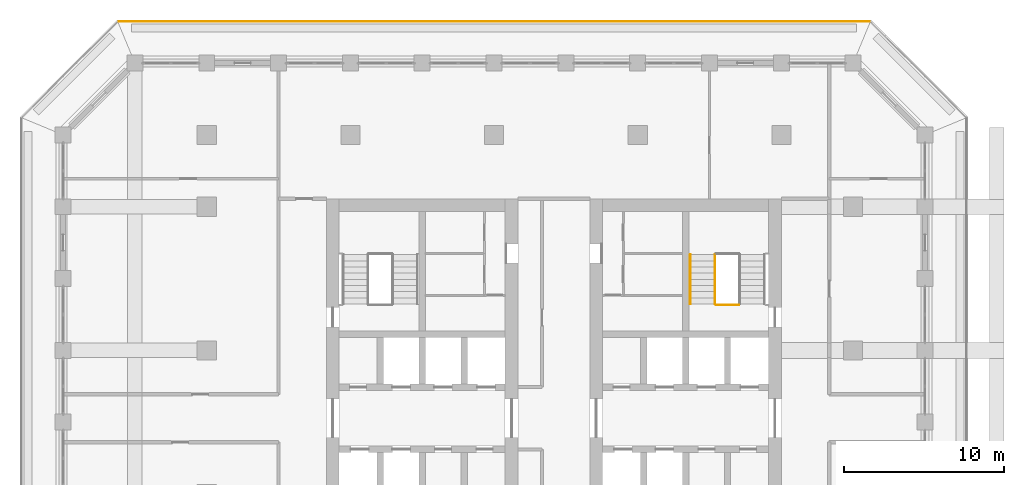
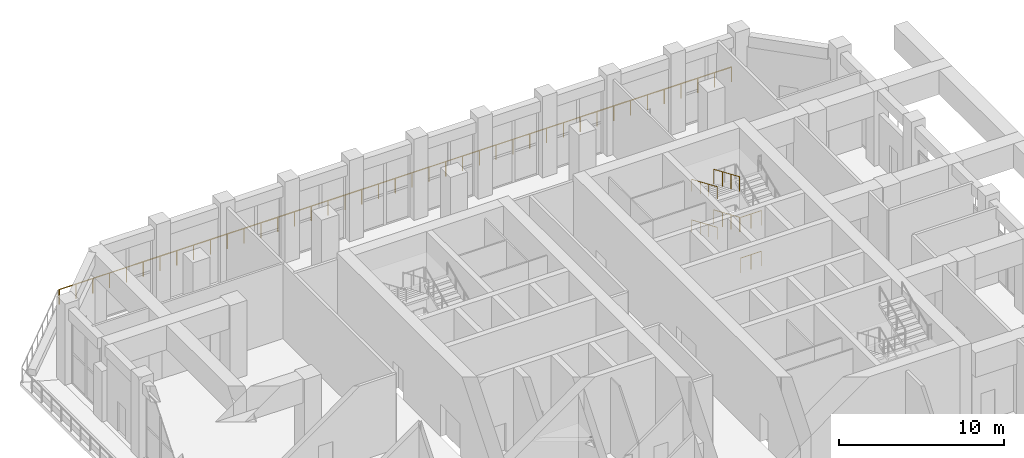
# One storey, part 23 of 25: 7 railings.
"""IFC4 building model written with IfcOpenShell, lengths in metres."""

from ifc_helpers import new_model, si_unit, direction, frame, origin, origin_2d, place, context, subcontext, project, spatial, circle, extrude, material, type_object, element, save


model = new_model("IFC4")

# Units and contexts
model_context = context("Model", 3, precision=1e-05, world=origin(), true_north=direction((0.0, 1.0)))
body_context = subcontext(model_context, "Body", "Model", "MODEL_VIEW")
ifc_project = project(units=[si_unit("LENGTHUNIT", "METRE"), si_unit("AREAUNIT", "SQUARE_METRE"), si_unit("VOLUMEUNIT", "CUBIC_METRE"), si_unit("PLANEANGLEUNIT", "RADIAN"), si_unit("MASSUNIT", "GRAM", prefix="KILO")], contexts=[model_context])

# Site, building, storey
site_placement = place(None, origin())
site = spatial("IfcSite", under=ifc_project, at=site_placement, CompositionType="ELEMENT")
building_placement = place(site_placement, origin())
building = spatial("IfcBuilding", under=site, at=building_placement, Name="Corbel Stack Research Tower", CompositionType="ELEMENT")
storey_placement = place(building_placement, frame((0.0, 0.0, 185.5)))
storey = spatial("IfcBuildingStorey", under=building, at=storey_placement, Name="L42", CompositionType="ELEMENT", Elevation=185.5)

# Railings
ifc_material_1 = material(Name="Steel S355", Category="steel")
railing_type_1 = type_object("IfcRailingType", Name="Stair guard 1100", PredefinedType="GUARDRAIL", material=ifc_material_1)
railing_1_placement = place(storey_placement, frame((13.85009765625, 15.00390625, 1.666748046875)))
element("IfcRailing", 1, at=railing_1_placement, inside=storey, type_object=railing_type_1, Name="L42 ST-E2 stair guard 4", PredefinedType="GUARDRAIL", context=body_context, shape_type="SweptSolid", body=[
    extrude(circle(Radius=0.02392578125, at=origin_2d()), frame((0.0, 0.0, 1.076171875), z_axis=(0.0, -0.918826996994, 0.394660549834), x_axis=(1.0, 0.0, 0.0)), (0.0, 0.0, 1.0), 3.378173828125),
    extrude(circle(Radius=0.02099609375, at=origin_2d()), origin(), (0.0, 0.0, 1.0), 1.052001953125),
    extrude(circle(Radius=0.02099609375, at=origin_2d()), frame((0.0, -1.03466796875, 0.4443359375)), (0.0, 0.0, 1.0), 1.052001953125),
    extrude(circle(Radius=0.02099609375, at=origin_2d()), frame((0.0, -2.0693359375, 0.888916015625)), (0.0, 0.0, 1.0), 1.052001953125),
    extrude(circle(Radius=0.02099609375, at=origin_2d()), frame((0.0, -3.10400390625, 1.333251953125)), (0.0, 0.0, 1.0), 1.052001953125),
])
railing_2_placement = place(storey_placement, frame((15.35009765625, 11.85009765625, 3.0)))
element("IfcRailing", 2, at=railing_2_placement, inside=storey, type_object=railing_type_1, Name="L42 ST-E2 stair guard 5", PredefinedType="GUARDRAIL", context=body_context, shape_type="SweptSolid", body=[
    extrude(circle(Radius=0.02392578125, at=origin_2d()), frame((0.0, 0.0, 1.076171875), z_axis=(-1.0, 0.0, 0.0), x_axis=(0.0, -1.0, 0.0)), (0.0, 0.0, 1.0), 1.4501953125),
    extrude(circle(Radius=0.02099609375, at=origin_2d()), origin(), (0.0, 0.0, 1.0), 1.052001953125),
    extrude(circle(Radius=0.02099609375, at=origin_2d()), frame((-0.72509765625, 0.0, 0.0)), (0.0, 0.0, 1.0), 1.052001953125),
    extrude(circle(Radius=0.02099609375, at=origin_2d()), frame((-1.4501953125, 0.0, 0.0)), (0.0, 0.0, 1.0), 1.052001953125),
])
railing_3_placement = place(storey_placement, frame((13.85009765625, 15.00390625, 4.666748046875)))
element("IfcRailing", 3, at=railing_3_placement, inside=storey, type_object=railing_type_1, Name="L42 ST-E2 stair guard 10", PredefinedType="GUARDRAIL", context=body_context, shape_type="SweptSolid", body=[
    extrude(circle(Radius=0.02392578125, at=origin_2d()), frame((0.0, 0.0, 1.076171875), z_axis=(0.0, -0.918826996994, 0.394660549834), x_axis=(1.0, 0.0, 0.0)), (0.0, 0.0, 1.0), 3.378173828125),
    extrude(circle(Radius=0.02099609375, at=origin_2d()), origin(), (0.0, 0.0, 1.0), 1.052001953125),
    extrude(circle(Radius=0.02099609375, at=origin_2d()), frame((0.0, -1.03466796875, 0.4443359375)), (0.0, 0.0, 1.0), 1.052001953125),
    extrude(circle(Radius=0.02099609375, at=origin_2d()), frame((0.0, -2.0693359375, 0.888916015625)), (0.0, 0.0, 1.0), 1.052001953125),
    extrude(circle(Radius=0.02099609375, at=origin_2d()), frame((0.0, -3.10400390625, 1.333251953125)), (0.0, 0.0, 1.0), 1.052001953125),
])
railing_4_placement = place(storey_placement, frame((15.35009765625, 11.85009765625, 0.0)))
element("IfcRailing", 4, at=railing_4_placement, inside=storey, type_object=railing_type_1, Name="L42 ST-E2 stair guard 11", PredefinedType="GUARDRAIL", context=body_context, shape_type="SweptSolid", body=[
    extrude(circle(Radius=0.02392578125, at=origin_2d()), frame((0.0, 0.0, 1.076171875), z_axis=(-1.0, 0.0, 0.0), x_axis=(0.0, -1.0, 0.0)), (0.0, 0.0, 1.0), 1.4501953125),
    extrude(circle(Radius=0.02099609375, at=origin_2d()), origin(), (0.0, 0.0, 1.0), 1.052001953125),
    extrude(circle(Radius=0.02099609375, at=origin_2d()), frame((-0.72509765625, 0.0, 0.0)), (0.0, 0.0, 1.0), 1.052001953125),
    extrude(circle(Radius=0.02099609375, at=origin_2d()), frame((-1.4501953125, 0.0, 0.0)), (0.0, 0.0, 1.0), 1.052001953125),
])
ifc_material_2 = material(Name="Steel S355", Category="steel")
railing_type_2 = type_object("IfcRailingType", Name="Stair handrail 900", PredefinedType="HANDRAIL", material=ifc_material_2)
for number, where, name in (
    (5, (12.300048828125, 15.00390625, 1.666748046875), "L42 ST-E2 stair handrail 2"),
    (6, (12.300048828125, 15.00390625, 4.666748046875), "L42 ST-E2 stair handrail 4"),
):
    element("IfcRailing", number, at=place(storey_placement, frame(where)), inside=storey, type_object=railing_type_2, Name=name, PredefinedType="HANDRAIL", context=body_context, shape_type="SweptSolid", body=[
        extrude(circle(Radius=0.02392578125, at=origin_2d()), frame((0.0, 0.0, 0.8759765625), z_axis=(0.0, -0.918826996994, 0.394660549834), x_axis=(1.0, 0.0, 0.0)), (0.0, 0.0, 1.0), 3.378173828125),
        extrude(circle(Radius=0.02099609375, at=origin_2d()), origin(), (0.0, 0.0, 1.0), 0.851806640625),
        extrude(circle(Radius=0.02099609375, at=origin_2d()), frame((0.0, -1.03466796875, 0.4443359375)), (0.0, 0.0, 1.0), 0.851806640625),
        extrude(circle(Radius=0.02099609375, at=origin_2d()), frame((0.0, -2.0693359375, 0.888916015625)), (0.0, 0.0, 1.0), 0.851806640625),
        extrude(circle(Radius=0.02099609375, at=origin_2d()), frame((0.0, -3.10400390625, 1.333251953125)), (0.0, 0.0, 1.0), 0.851806640625),
    ])
ifc_material_3 = material(Name="Powder-coated steel guard", Category="steel")
railing_type_3 = type_object("IfcRailingType", Name="Steel and glass guard 1100", PredefinedType="GUARDRAIL", material=ifc_material_3)
railing_5_placement = place(storey_placement, frame((23.50537109375, 29.60009765625, 0.0)))
element("IfcRailing", 7, at=railing_5_placement, inside=storey, type_object=railing_type_3, Name="Loggia guard L42 N", PredefinedType="GUARDRAIL", context=body_context, shape_type="SweptSolid", body=[
    extrude(circle(Radius=0.02392578125, at=origin_2d()), frame((0.0, 0.0, 1.076171875), z_axis=(-1.0, 0.0, 0.0), x_axis=(0.0, -1.0, 0.0)), (0.0, 0.0, 1.0), 47.0107421875),
    extrude(circle(Radius=0.02099609375, at=origin_2d()), origin(), (0.0, 0.0, 1.0), 1.052001953125),
    extrude(circle(Radius=0.02099609375, at=origin_2d()), frame((-1.17529296875, 0.0, 0.0)), (0.0, 0.0, 1.0), 1.052001953125),
    extrude(circle(Radius=0.02099609375, at=origin_2d()), frame((-2.3505859375, 0.0, 0.0)), (0.0, 0.0, 1.0), 1.052001953125),
    extrude(circle(Radius=0.02099609375, at=origin_2d()), frame((-3.52587890625, 0.0, 0.0)), (0.0, 0.0, 1.0), 1.052001953125),
    extrude(circle(Radius=0.02099609375, at=origin_2d()), frame((-4.701171875, 0.0, 0.0)), (0.0, 0.0, 1.0), 1.052001953125),
    extrude(circle(Radius=0.02099609375, at=origin_2d()), frame((-5.87646484375, 0.0, 0.0)), (0.0, 0.0, 1.0), 1.052001953125),
    extrude(circle(Radius=0.02099609375, at=origin_2d()), frame((-7.051513671875, 0.0, 0.0)), (0.0, 0.0, 1.0), 1.052001953125),
    extrude(circle(Radius=0.02099609375, at=origin_2d()), frame((-8.226806640625, 0.0, 0.0)), (0.0, 0.0, 1.0), 1.052001953125),
    extrude(circle(Radius=0.02099609375, at=origin_2d()), frame((-9.402099609375, 0.0, 0.0)), (0.0, 0.0, 1.0), 1.052001953125),
    extrude(circle(Radius=0.02099609375, at=origin_2d()), frame((-10.577392578125, 0.0, 0.0)), (0.0, 0.0, 1.0), 1.052001953125),
    extrude(circle(Radius=0.02099609375, at=origin_2d()), frame((-11.752685546875, 0.0, 0.0)), (0.0, 0.0, 1.0), 1.052001953125),
    extrude(circle(Radius=0.02099609375, at=origin_2d()), frame((-12.927978515625, 0.0, 0.0)), (0.0, 0.0, 1.0), 1.052001953125),
    extrude(circle(Radius=0.02099609375, at=origin_2d()), frame((-14.103271484375, 0.0, 0.0)), (0.0, 0.0, 1.0), 1.052001953125),
    extrude(circle(Radius=0.02099609375, at=origin_2d()), frame((-15.278564453125, 0.0, 0.0)), (0.0, 0.0, 1.0), 1.052001953125),
    extrude(circle(Radius=0.02099609375, at=origin_2d()), frame((-16.453857421875, 0.0, 0.0)), (0.0, 0.0, 1.0), 1.052001953125),
    extrude(circle(Radius=0.02099609375, at=origin_2d()), frame((-17.62890625, 0.0, 0.0)), (0.0, 0.0, 1.0), 1.052001953125),
    extrude(circle(Radius=0.02099609375, at=origin_2d()), frame((-18.80419921875, 0.0, 0.0)), (0.0, 0.0, 1.0), 1.052001953125),
    extrude(circle(Radius=0.02099609375, at=origin_2d()), frame((-19.9794921875, 0.0, 0.0)), (0.0, 0.0, 1.0), 1.052001953125),
    extrude(circle(Radius=0.02099609375, at=origin_2d()), frame((-21.15478515625, 0.0, 0.0)), (0.0, 0.0, 1.0), 1.052001953125),
    extrude(circle(Radius=0.02099609375, at=origin_2d()), frame((-22.330078125, 0.0, 0.0)), (0.0, 0.0, 1.0), 1.052001953125),
    extrude(circle(Radius=0.02099609375, at=origin_2d()), frame((-23.50537109375, 0.0, 0.0)), (0.0, 0.0, 1.0), 1.052001953125),
    extrude(circle(Radius=0.02099609375, at=origin_2d()), frame((-24.6806640625, 0.0, 0.0)), (0.0, 0.0, 1.0), 1.052001953125),
    extrude(circle(Radius=0.02099609375, at=origin_2d()), frame((-25.85595703125, 0.0, 0.0)), (0.0, 0.0, 1.0), 1.052001953125),
    extrude(circle(Radius=0.02099609375, at=origin_2d()), frame((-27.03125, 0.0, 0.0)), (0.0, 0.0, 1.0), 1.052001953125),
    extrude(circle(Radius=0.02099609375, at=origin_2d()), frame((-28.20654296875, 0.0, 0.0)), (0.0, 0.0, 1.0), 1.052001953125),
    extrude(circle(Radius=0.02099609375, at=origin_2d()), frame((-29.3818359375, 0.0, 0.0)), (0.0, 0.0, 1.0), 1.052001953125),
    extrude(circle(Radius=0.02099609375, at=origin_2d()), frame((-30.556884765625, 0.0, 0.0)), (0.0, 0.0, 1.0), 1.052001953125),
    extrude(circle(Radius=0.02099609375, at=origin_2d()), frame((-31.732177734375, 0.0, 0.0)), (0.0, 0.0, 1.0), 1.052001953125),
    extrude(circle(Radius=0.02099609375, at=origin_2d()), frame((-32.907470703125, 0.0, 0.0)), (0.0, 0.0, 1.0), 1.052001953125),
    extrude(circle(Radius=0.02099609375, at=origin_2d()), frame((-34.082763671875, 0.0, 0.0)), (0.0, 0.0, 1.0), 1.052001953125),
    extrude(circle(Radius=0.02099609375, at=origin_2d()), frame((-35.258056640625, 0.0, 0.0)), (0.0, 0.0, 1.0), 1.052001953125),
    extrude(circle(Radius=0.02099609375, at=origin_2d()), frame((-36.433349609375, 0.0, 0.0)), (0.0, 0.0, 1.0), 1.052001953125),
    extrude(circle(Radius=0.02099609375, at=origin_2d()), frame((-37.608642578125, 0.0, 0.0)), (0.0, 0.0, 1.0), 1.052001953125),
    extrude(circle(Radius=0.02099609375, at=origin_2d()), frame((-38.783935546875, 0.0, 0.0)), (0.0, 0.0, 1.0), 1.052001953125),
    extrude(circle(Radius=0.02099609375, at=origin_2d()), frame((-39.959228515625, 0.0, 0.0)), (0.0, 0.0, 1.0), 1.052001953125),
    extrude(circle(Radius=0.02099609375, at=origin_2d()), frame((-41.13427734375, 0.0, 0.0)), (0.0, 0.0, 1.0), 1.052001953125),
    extrude(circle(Radius=0.02099609375, at=origin_2d()), frame((-42.3095703125, 0.0, 0.0)), (0.0, 0.0, 1.0), 1.052001953125),
    extrude(circle(Radius=0.02099609375, at=origin_2d()), frame((-43.48486328125, 0.0, 0.0)), (0.0, 0.0, 1.0), 1.052001953125),
    extrude(circle(Radius=0.02099609375, at=origin_2d()), frame((-44.66015625, 0.0, 0.0)), (0.0, 0.0, 1.0), 1.052001953125),
    extrude(circle(Radius=0.02099609375, at=origin_2d()), frame((-45.83544921875, 0.0, 0.0)), (0.0, 0.0, 1.0), 1.052001953125),
    extrude(circle(Radius=0.02099609375, at=origin_2d()), frame((-47.0107421875, 0.0, 0.0)), (0.0, 0.0, 1.0), 1.052001953125),
])

save(model, "model.ifc")
